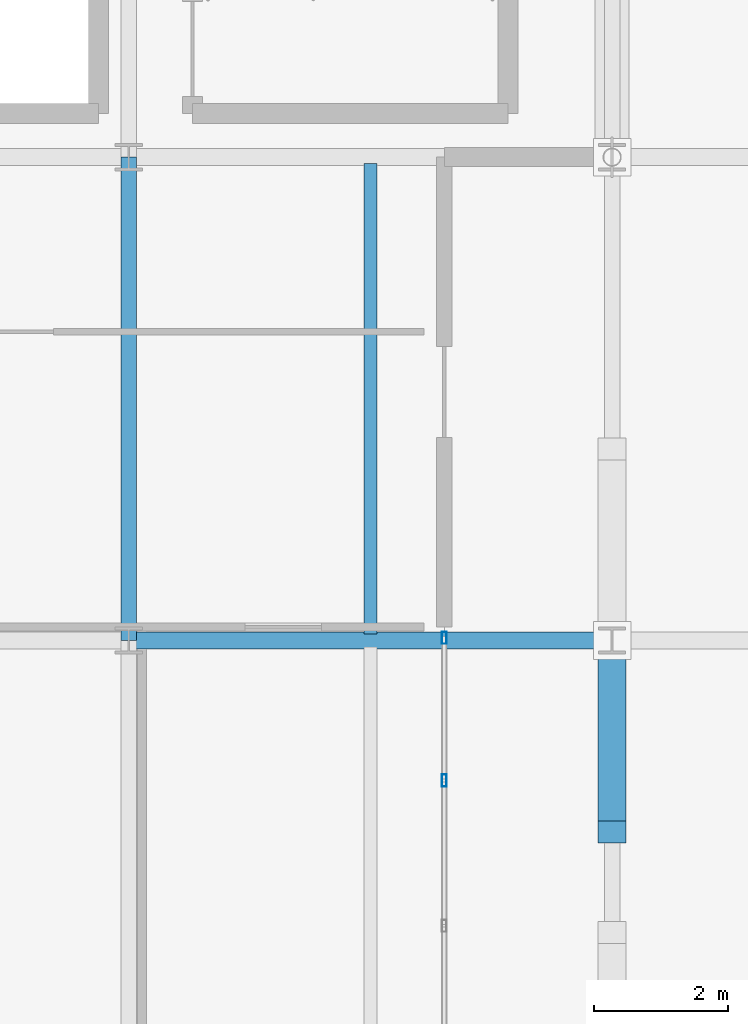
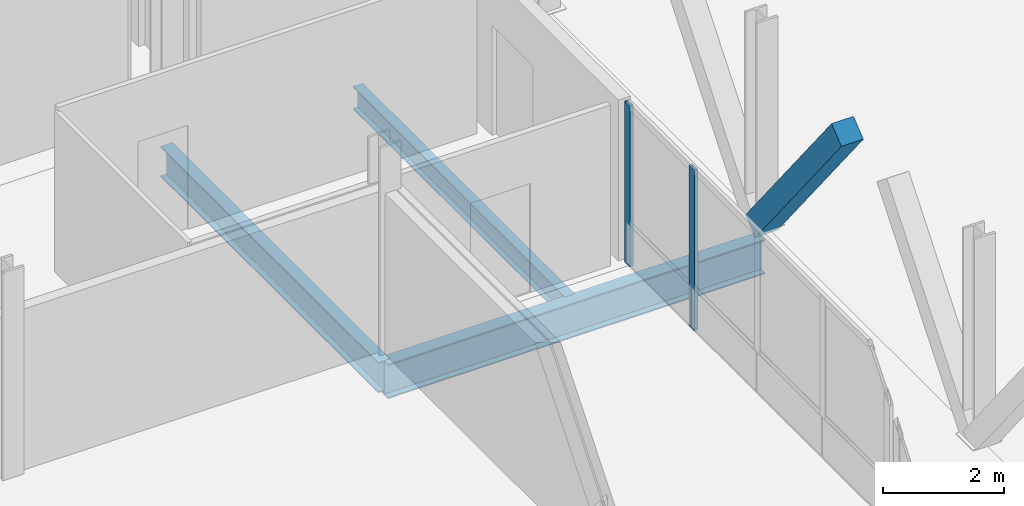
# One storey, part 23 of 102: 3 beams, 3 members, 1 element without a shape of its own.
"""IFC4 building model written with IfcOpenShell, lengths in metres."""

from ifc_helpers import new_model, si_unit, direction, frame, origin, origin_2d, place, context, subcontext, project, spatial, rectangle, hollow_rectangle, i_section, extrude, material, material_profile, profile_set, type_object, element, aggregate, save


model = new_model("IFC4")

# Units and contexts
model_context = context("Model", 3, precision=1e-05, world=origin(), true_north=direction((0.0, 1.0)))
body_context = subcontext(model_context, "Body", "Model", "MODEL_VIEW")
ifc_project = project(units=[si_unit("LENGTHUNIT", "METRE"), si_unit("AREAUNIT", "SQUARE_METRE"), si_unit("VOLUMEUNIT", "CUBIC_METRE"), si_unit("PLANEANGLEUNIT", "RADIAN"), si_unit("MASSUNIT", "GRAM", prefix="KILO")], contexts=[model_context])

# Site, building, storey
site_placement = place(None, origin())
site = spatial("IfcSite", under=ifc_project, at=site_placement, CompositionType="ELEMENT")
building_placement = place(site_placement, origin())
building = spatial("IfcBuilding", under=site, at=building_placement, Name="Yarey Park Central Fire Station", CompositionType="ELEMENT")
storey_placement = place(building_placement, frame((0.0, 0.0, 6.0)))
storey = spatial("IfcBuildingStorey", under=building, at=storey_placement, Name="L02", CompositionType="ELEMENT", Elevation=6.0)

# Curtain wall, members
ifc_material_1 = material(Name="Anodized Aluminium Frame", Category="aluminium")
curtain_wall_type = type_object("IfcCurtainWallType", Name="ENV_CW_V3_GALW", PredefinedType="NOTDEFINED", material=ifc_material_1)
curtain_wall_placement = place(storey_placement, origin())
curtain_wall = element("IfcCurtainWall", 1, at=curtain_wall_placement, inside=storey, type_object=curtain_wall_type, Name="CW_L02_V1_E_039", PredefinedType="NOTDEFINED")
ifc_material_profile_1 = material_profile(ifc_material_1, hollow_rectangle(XDim=0.070068359375, YDim=0.179931640625, WallThickness=0.00390625, at=origin_2d()), Name="ALU 180x70x4")
ifc_profile_set_1 = profile_set([ifc_material_profile_1], Name="Anodized Aluminium Frame")
member_type_1 = type_object("IfcMemberType", Name="ENV_CW_MULLION", PredefinedType="MULLION", material=ifc_profile_set_1)
member_1_placement = place(storey_placement, frame((55.10009765625, 48.31494140625, 0.0), z_axis=(0.0, 0.0, 1.0), x_axis=(1.0, 0.0, 0.0)))
member_1 = element("IfcMember", 2, at=member_1_placement, type_object=member_type_1, Name="CW_L02_V1_E_039_MUL4", PredefinedType="MULLION", context=body_context, shape_type="SweptSolid", body=[
    extrude(hollow_rectangle(XDim=0.070068359375, YDim=0.179931640625, WallThickness=0.00390625, at=origin_2d()), origin(), (0.0, 0.0, 1.0), 3.2470703125),
])
member_2_placement = place(storey_placement, frame((55.10009765625, 50.43994140625, 0.0), z_axis=(0.0, 0.0, 1.0), x_axis=(1.0, 0.0, 0.0)))
member_2 = element("IfcMember", 3, at=member_2_placement, type_object=member_type_1, Name="CW_L02_V1_E_039_MUL5", PredefinedType="MULLION", context=body_context, shape_type="SweptSolid", body=[
    extrude(hollow_rectangle(XDim=0.070068359375, YDim=0.179931640625, WallThickness=0.00390625, at=origin_2d()), origin(), (0.0, 0.0, 1.0), 3.2470703125),
])
aggregate(curtain_wall, [member_1, member_2])

# Beams
ifc_material_2 = material(Name="Steel ASTM A992 Gr. 50", Category="steel")
ifc_material_profile_2 = material_profile(ifc_material_2, i_section(OverallWidth=0.22900390625, OverallDepth=0.612060546875, WebThickness=0.011962890625, FlangeThickness=0.01953125, at=origin_2d()), Name="W610x125")
ifc_profile_set_2 = profile_set([ifc_material_profile_2], Name="Steel ASTM A992 Gr. 50")
beam_type_1 = type_object("IfcBeamType", Name="STR_BM_W610", PredefinedType="BEAM", material=ifc_profile_set_2)
beam_1_placement = place(storey_placement, frame((50.39990234375, 50.39990234375, -0.591064453125), z_axis=(0.0, 1.0, 0.0), x_axis=(-1.0, 0.0, 0.0)))
element("IfcBeam", 4, at=beam_1_placement, inside=storey, type_object=beam_type_1, Name="BMY L02 X504 Y504", PredefinedType="BEAM", context=body_context, shape_type="SweptSolid", body=[
    extrude(i_section(OverallWidth=0.22900390625, OverallDepth=0.612060546875, WebThickness=0.011962890625, FlangeThickness=0.01953125, at=origin_2d()), origin(), (0.0, 0.0, 1.0), 7.2001953125),
])
ifc_material_profile_3 = material_profile(ifc_material_2, i_section(OverallWidth=0.256103515625, OverallDepth=0.693115234375, WebThickness=0.014404296875, FlangeThickness=0.023681640625, at=origin_2d()), Name="W690x170")
ifc_profile_set_3 = profile_set([ifc_material_profile_3], Name="Steel ASTM A992 Gr. 50")
beam_type_2 = type_object("IfcBeamType", Name="STR_BM_W690", PredefinedType="BEAM", material=ifc_profile_set_3)
beam_2_placement = place(storey_placement, frame((50.39990234375, 50.39990234375, -0.631591796875), z_axis=(1.0, 0.0, 0.0), x_axis=(0.0, 1.0, 0.0)))
element("IfcBeam", 5, at=beam_2_placement, inside=storey, type_object=beam_type_2, Name="BMX L02 Y504 X504", PredefinedType="BEAM", context=body_context, shape_type="SweptSolid", body=[
    extrude(i_section(OverallWidth=0.256103515625, OverallDepth=0.693115234375, WebThickness=0.014404296875, FlangeThickness=0.023681640625, at=origin_2d()), origin(), (0.0, 0.0, 1.0), 7.2001953125),
])
ifc_material_profile_4 = material_profile(ifc_material_2, i_section(OverallWidth=0.18994140625, OverallDepth=0.45703125, WebThickness=0.009033203125, FlangeThickness=0.014404296875, at=origin_2d()), Name="W460x74")
ifc_profile_set_4 = profile_set([ifc_material_profile_4], Name="Steel ASTM A992 Gr. 50")
beam_type_3 = type_object("IfcBeamType", Name="STR_JST_W460", PredefinedType="JOIST", material=ifc_profile_set_4)
beam_3_placement = place(storey_placement, frame((54.0, 50.4951171875, -0.513427734375), z_axis=(0.0, 1.0, 0.0), x_axis=(-1.0, 0.0, 0.0)))
element("IfcBeam", 6, at=beam_3_placement, inside=storey, type_object=beam_type_3, Name="JST L02 X540 Y504", PredefinedType="JOIST", context=body_context, shape_type="SweptSolid", body=[
    extrude(i_section(OverallWidth=0.18994140625, OverallDepth=0.45703125, WebThickness=0.009033203125, FlangeThickness=0.014404296875, at=origin_2d()), origin(), (0.0, 0.0, 1.0), 7.009765625),
])

# Member
ifc_material_3 = material(Name="Glulam GL28h", Category="wood")
ifc_material_profile_5 = material_profile(ifc_material_3, rectangle(XDim=0.419921875, YDim=0.419921875, at=origin_2d()), Name="GL 420x420")
ifc_profile_set_5 = profile_set([ifc_material_profile_5], Name="Glulam GL28h")
member_type_2 = type_object("IfcMemberType", Name="STR_STRUT_GL420", PredefinedType="STRUT", material=ifc_profile_set_5)
member_3_placement = place(storey_placement, frame((57.60009765625, 50.39990234375, -0.02001953125), z_axis=(0.0, -0.623866946252, 0.781530570979), x_axis=(1.0, 0.0, 0.0)))
element("IfcMember", 7, at=member_3_placement, inside=storey, type_object=member_type_2, Name="Raked Glulam Strut RGS-72", PredefinedType="STRUT", context=body_context, shape_type="SweptSolid", body=[
    extrude(rectangle(XDim=0.419921875, YDim=0.419921875, at=origin_2d()), origin(), (0.0, 0.0, 1.0), 4.568115234375),
])

save(model, "model.ifc")
